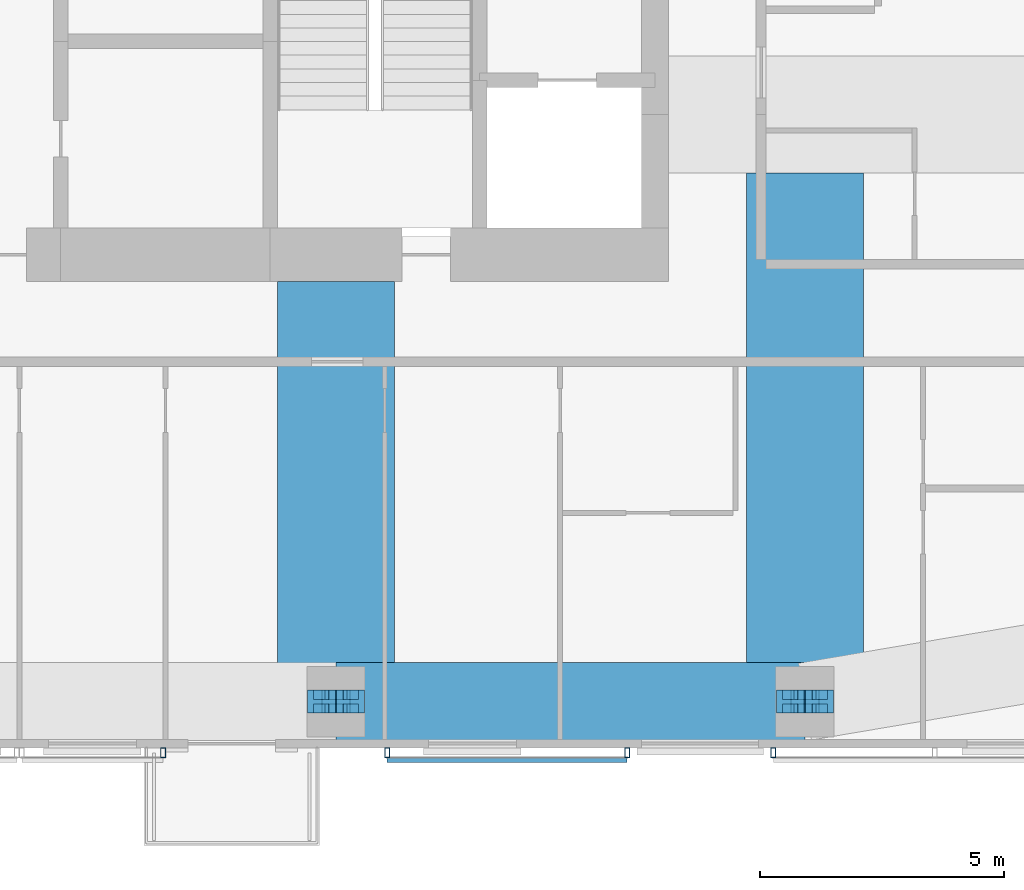
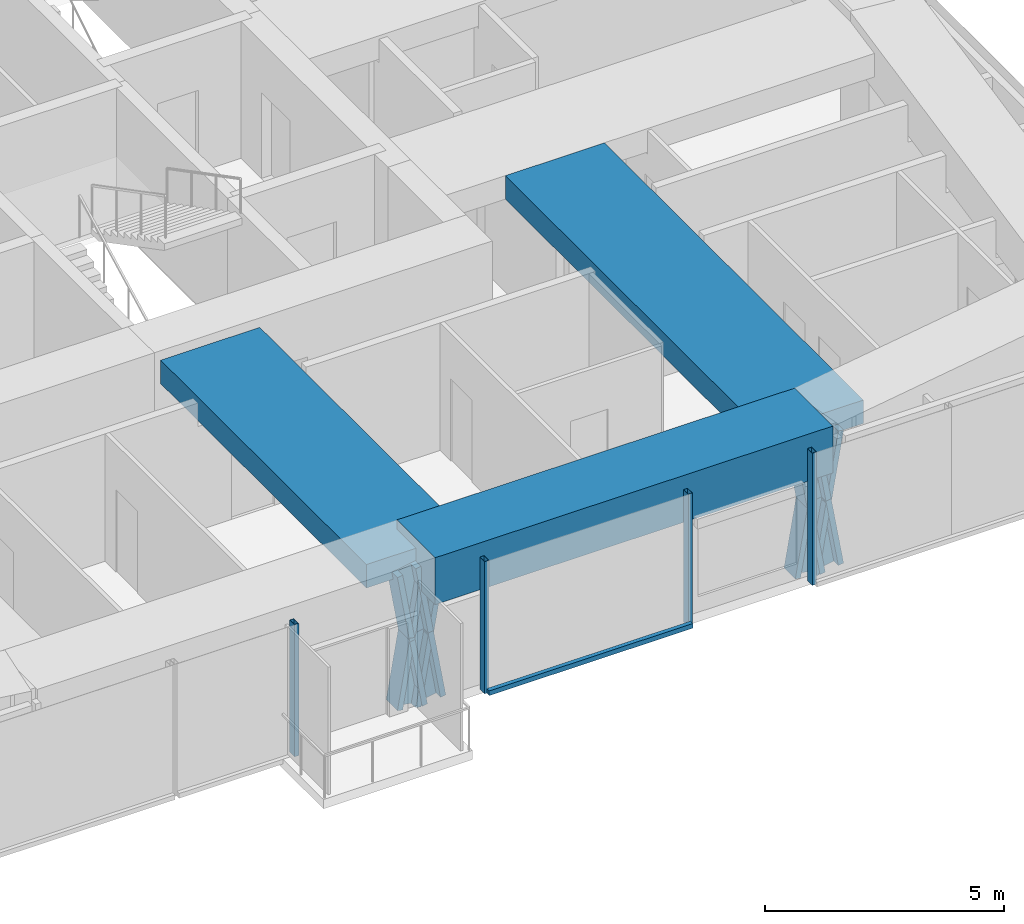
# One storey, part 4 of 18: 13 members, 3 beams, 3 elements without a shape of their own.
"""IFC4 building model written with IfcOpenShell, lengths in metres."""

from ifc_helpers import new_model, si_unit, direction, frame, origin, origin_2d, place, context, subcontext, project, spatial, rectangle, hollow_rectangle, i_section, extrude, material, material_profile, profile_set, type_object, element, aggregate, save


model = new_model("IFC4")

# Units and contexts
model_context = context("Model", 3, precision=1e-05, world=origin(), true_north=direction((0.0, 1.0)))
body_context = subcontext(model_context, "Body", "Model", "MODEL_VIEW")
ifc_project = project(units=[si_unit("LENGTHUNIT", "METRE"), si_unit("AREAUNIT", "SQUARE_METRE"), si_unit("VOLUMEUNIT", "CUBIC_METRE"), si_unit("PLANEANGLEUNIT", "RADIAN"), si_unit("MASSUNIT", "GRAM", prefix="KILO")], contexts=[model_context])

# Site, building, storey
site_placement = place(None, origin())
site = spatial("IfcSite", under=ifc_project, at=site_placement, CompositionType="ELEMENT")
building_placement = place(site_placement, origin())
building = spatial("IfcBuilding", under=site, at=building_placement, Name="Jalousie Tower", CompositionType="ELEMENT")
storey_placement = place(building_placement, frame((0.0, 0.0, 252.949951171875)))
storey = spatial("IfcBuildingStorey", under=building, at=storey_placement, Name="L69", CompositionType="ELEMENT", Elevation=252.949951171875)

# Members
ifc_material_1 = material(Name="Steel ASTM A992 Grade 50", Category="steel")
ifc_material_profile_1 = material_profile(ifc_material_1, i_section(OverallWidth=0.472412109375, OverallDepth=0.5791015625, WebThickness=0.094970703125, FlangeThickness=0.1298828125, at=origin_2d()), Name="W14X808")
ifc_profile_set_1 = profile_set([ifc_material_profile_1], Name="Steel ASTM A992 Grade 50")
member_type_1 = type_object("IfcMemberType", Name="PERIMETER BRACE W14X808", PredefinedType="BRACE", material=ifc_profile_set_1)
for number, where, z_axis, x_axis, name in (
    (1, (36.949951171875, 0.949951171875, -0.599853515625), (0.168990530437, 0.0, 0.98561767467), (0.0, 1.0, 0.0), "Perimeter brace 03 L69 part 1"),
    (2, (37.25, 0.949951171875, 1.150146484375), (0.168990530437, 0.0, 0.98561767467), (0.0, 1.0, 0.0), "Perimeter brace 03 L69 part 2"),
    (3, (37.550048828125, 0.949951171875, -0.599853515625), (-0.168990530437, 0.0, 0.98561767467), (0.0, -1.0, 0.0), "Perimeter brace 03 L69 part 3"),
    (4, (37.25, 0.949951171875, 1.150146484375), (-0.168990530437, 0.0, 0.98561767467), (0.0, -1.0, 0.0), "Perimeter brace 03 L69 part 4"),
    (5, (46.574951171875, 0.949951171875, -0.599853515625), (0.168990530437, 0.0, 0.98561767467), (0.0, 1.0, 0.0), "Perimeter brace 04 L69 part 1"),
    (6, (46.875, 0.949951171875, 1.150146484375), (0.168990530437, 0.0, 0.98561767467), (0.0, 1.0, 0.0), "Perimeter brace 04 L69 part 2"),
    (7, (47.175048828125, 0.949951171875, -0.599853515625), (-0.168990530437, 0.0, 0.98561767467), (0.0, -1.0, 0.0), "Perimeter brace 04 L69 part 3"),
    (8, (46.875, 0.949951171875, 1.150146484375), (-0.168990530437, 0.0, 0.98561767467), (0.0, -1.0, 0.0), "Perimeter brace 04 L69 part 4"),
):
    element("IfcMember", number, at=place(storey_placement, frame(where, z_axis=z_axis, x_axis=x_axis)), inside=storey, type_object=member_type_1, Name=name, PredefinedType="BRACE", context=body_context, shape_type="SweptSolid", body=[
        extrude(i_section(OverallWidth=0.472412109375, OverallDepth=0.5791015625, WebThickness=0.094970703125, FlangeThickness=0.1298828125, at=origin_2d()), origin(), (0.0, 0.0, 1.0), 1.775634765625),
    ])

# Beams
ifc_material_2 = material(Name="Concrete f'c 40 MPa", Category="concrete")
ifc_material_profile_2 = material_profile(ifc_material_2, rectangle(XDim=1.60009765625, YDim=1.199951171875, at=origin_2d()), Name="RC 1600x1200")
ifc_profile_set_2 = profile_set([ifc_material_profile_2], Name="Concrete f'c 40 MPa")
beam_type_1 = type_object("IfcBeamType", Name="RC BEAM 1600x1200", PredefinedType="BEAM", material=ifc_profile_set_2)
beam_1_placement = place(storey_placement, frame((37.25, 0.949951171875, 2.900146484375), z_axis=(1.0, 0.0, 0.0), x_axis=(0.0, 1.0, 0.0)))
element("IfcBeam", 9, at=beam_1_placement, inside=storey, type_object=beam_type_1, Name="Edge band beam 03-04 under L70", PredefinedType="BEAM", context=body_context, shape_type="SweptSolid", body=[
    extrude(rectangle(XDim=1.60009765625, YDim=1.199951171875, at=origin_2d()), origin(), (0.0, 0.0, 1.0), 9.625),
])
ifc_material_3 = material(Name="Concrete f'c 40 MPa", Category="concrete")
ifc_material_profile_3 = material_profile(ifc_material_3, rectangle(XDim=2.39990234375, YDim=0.60009765625, at=origin_2d()), Name="RC 2400x600")
ifc_profile_set_3 = profile_set([ifc_material_profile_3], Name="Concrete f'c 40 MPa")
beam_type_2 = type_object("IfcBeamType", Name="RC BEAM 2400x600", PredefinedType="BEAM", material=ifc_profile_set_3)
beam_2_placement = place(storey_placement, frame((37.25, 0.949951171875, 2.9599609375), z_axis=(0.0, 1.0, 0.0), x_axis=(-1.0, 0.0, 0.0)))
element("IfcBeam", 10, at=beam_2_placement, inside=storey, type_object=beam_type_2, Name="Floor band beam under L70", PredefinedType="BEAM", context=body_context, shape_type="SweptSolid", body=[
    extrude(rectangle(XDim=2.39990234375, YDim=0.60009765625, at=origin_2d()), origin(), (0.0, 0.0, 1.0), 8.625),
])
beam_3_placement = place(storey_placement, frame((46.875, 0.949951171875, 2.9599609375), z_axis=(0.0, 1.0, 0.0), x_axis=(-1.0, 0.0, 0.0)))
element("IfcBeam", 11, at=beam_3_placement, inside=storey, type_object=beam_type_2, Name="Floor band beam under L70", PredefinedType="BEAM", context=body_context, shape_type="SweptSolid", body=[
    extrude(rectangle(XDim=2.39990234375, YDim=0.60009765625, at=origin_2d()), origin(), (0.0, 0.0, 1.0), 10.85009765625),
])

# Curtain wall, member
ifc_material_4 = material(Name="Perforated aluminium sheet", Category="aluminium")
curtain_wall_type = type_object("IfcCurtainWallType", Name="SOLAR SCREEN SS-2", PredefinedType="USERDEFINED", material=ifc_material_4)
curtain_wall_1_placement = place(storey_placement, origin())
curtain_wall_1 = element("IfcCurtainWall", 12, at=curtain_wall_1_placement, inside=storey, type_object=curtain_wall_type, Name="Solar screen L69", ObjectType="SOLAR SCREEN SS-2", PredefinedType="USERDEFINED")
ifc_material_5 = material(Name="Steel ASTM A500 Grade C", Category="steel")
ifc_material_profile_4 = material_profile(ifc_material_5, hollow_rectangle(XDim=0.1015625, YDim=0.203125, WallThickness=0.0078125, at=origin_2d()), Name="HSS8X4X5/16")
ifc_profile_set_4 = profile_set([ifc_material_profile_4], Name="Steel ASTM A500 Grade C")
member_type_2 = type_object("IfcMemberType", Name="SOLAR SCREEN SS-2 MULLION", PredefinedType="MULLION", material=ifc_profile_set_4)
member_1_placement = place(storey_placement, frame((33.699951171875, -0.0966796875, -0.119873046875), z_axis=(0.0, 0.0, 1.0), x_axis=(1.0, 0.0, 0.0)))
member_1 = element("IfcMember", 13, at=member_1_placement, type_object=member_type_2, Name="SS2 post 2", PredefinedType="MULLION", context=body_context, shape_type="SweptSolid", body=[
    extrude(hollow_rectangle(XDim=0.1015625, YDim=0.203125, WallThickness=0.0078125, at=origin_2d()), origin(), (0.0, 0.0, 1.0), 3.3798828125),
])
aggregate(curtain_wall_1, [member_1])

# Curtain wall, members
curtain_wall_2_placement = place(storey_placement, origin())
curtain_wall_2 = element("IfcCurtainWall", 14, at=curtain_wall_2_placement, inside=storey, type_object=curtain_wall_type, Name="Solar screen L69", ObjectType="SOLAR SCREEN SS-2", PredefinedType="USERDEFINED")
member_2_placement = place(storey_placement, frame((38.300048828125, -0.0966796875, -0.119873046875), z_axis=(0.0, 0.0, 1.0), x_axis=(1.0, 0.0, 0.0)))
member_2 = element("IfcMember", 15, at=member_2_placement, type_object=member_type_2, Name="SS2 post 1", PredefinedType="MULLION", context=body_context, shape_type="SweptSolid", body=[
    extrude(hollow_rectangle(XDim=0.1015625, YDim=0.203125, WallThickness=0.0078125, at=origin_2d()), origin(), (0.0, 0.0, 1.0), 3.3798828125),
])
member_3_placement = place(storey_placement, frame((43.22509765625, -0.0966796875, -0.119873046875), z_axis=(0.0, 0.0, 1.0), x_axis=(1.0, 0.0, 0.0)))
member_3 = element("IfcMember", 16, at=member_3_placement, type_object=member_type_2, Name="SS2 post 2", PredefinedType="MULLION", context=body_context, shape_type="SweptSolid", body=[
    extrude(hollow_rectangle(XDim=0.1015625, YDim=0.203125, WallThickness=0.0078125, at=origin_2d()), origin(), (0.0, 0.0, 1.0), 3.3798828125),
])

# Curtain wall, member
curtain_wall_3_placement = place(storey_placement, origin())
curtain_wall_3 = element("IfcCurtainWall", 17, at=curtain_wall_3_placement, inside=storey, type_object=curtain_wall_type, Name="Solar screen L69", ObjectType="SOLAR SCREEN SS-2", PredefinedType="USERDEFINED")
member_4_placement = place(storey_placement, frame((46.22509765625, -0.0966796875, -0.119873046875), z_axis=(0.0, 0.0, 1.0), x_axis=(1.0, 0.0, 0.0)))
member_4 = element("IfcMember", 18, at=member_4_placement, type_object=member_type_2, Name="SS2 post 1", PredefinedType="MULLION", context=body_context, shape_type="SweptSolid", body=[
    extrude(hollow_rectangle(XDim=0.1015625, YDim=0.203125, WallThickness=0.0078125, at=origin_2d()), origin(), (0.0, 0.0, 1.0), 3.3798828125),
])
aggregate(curtain_wall_3, [member_4])

# Member
ifc_material_6 = material(Name="Extruded aluminium screen rail", Category="aluminium")
ifc_material_profile_5 = material_profile(ifc_material_6, rectangle(XDim=0.1015625, YDim=0.1201171875, at=origin_2d()), Name="RAIL 102x120")
ifc_profile_set_5 = profile_set([ifc_material_profile_5], Name="Extruded aluminium screen rail")
member_type_3 = type_object("IfcMemberType", Name="SOLAR SCREEN SS-2 TRANSOM", PredefinedType="USERDEFINED", material=ifc_profile_set_5)
member_5_placement = place(storey_placement, frame((38.300048828125, -0.2490234375, -0.06005859375), z_axis=(1.0, 0.0, 0.0), x_axis=(0.0, 1.0, 0.0)))
member_5 = element("IfcMember", 19, at=member_5_placement, type_object=member_type_3, Name="SS2 rail", ObjectType="TRANSOM", PredefinedType="USERDEFINED", context=body_context, shape_type="SweptSolid", body=[
    extrude(rectangle(XDim=0.1015625, YDim=0.1201171875, at=origin_2d()), origin(), (0.0, 0.0, 1.0), 4.925048828125),
])

aggregate(curtain_wall_2, [member_2, member_3, member_5])

save(model, "model.ifc")
